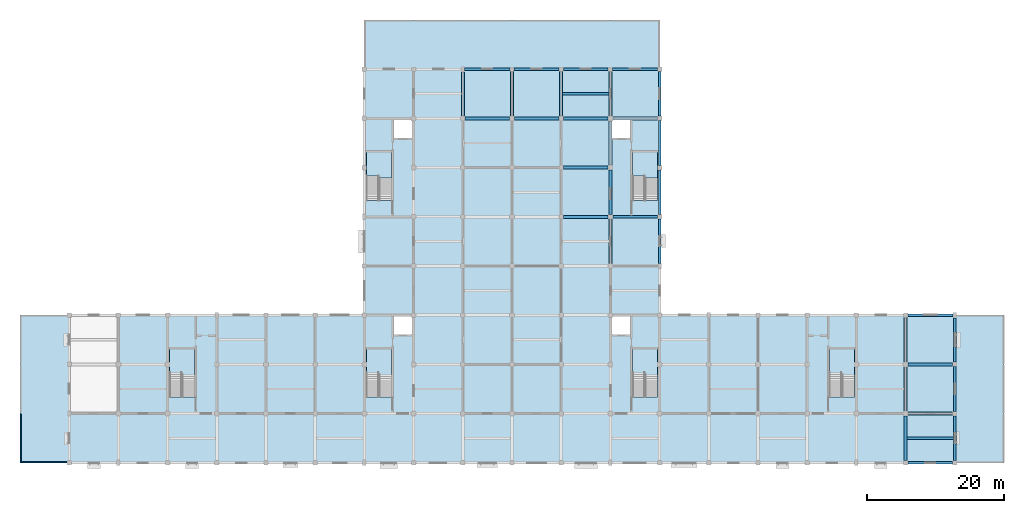
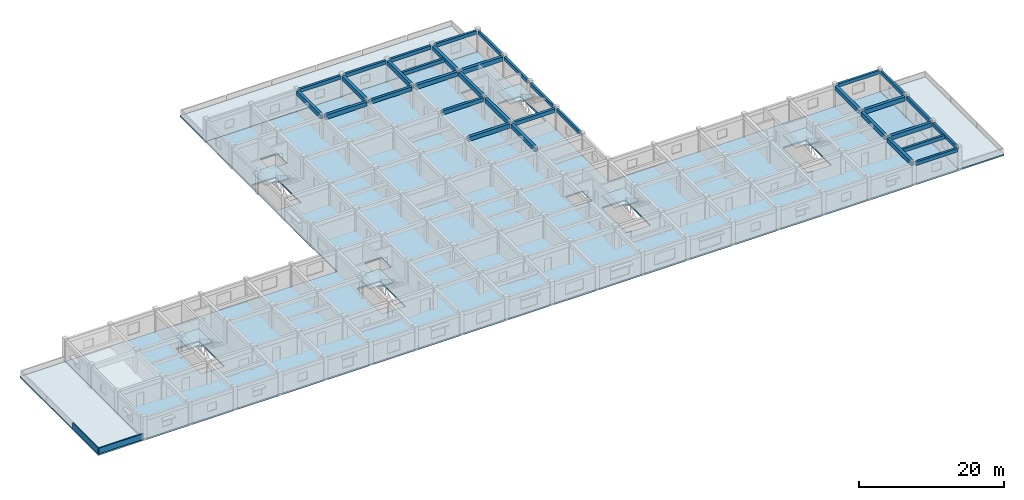
# One storey, part 3 of 16: 34 beams, 10 slabs, 2 walls, 6 elements without a shape of their own.
"""IFC4 building model written with IfcOpenShell, lengths in metres."""

import ifcopenshell
import ifcopenshell.guid

model = None  # the IFC model being written
_history = None  # IfcOwnerHistory: only IFC2X3 demands one
_inside = {}  # id of a spatial element -> (the spatial element, [elements in it])
_under = {}  # id of a project, library or spatial element -> (it, [spatial elements below it])
_declared = {}  # id of a project -> (the project, [libraries it declares])
_typed = {}  # id of a type object -> (the type object, [elements of that type])
_made_of = {}  # id of a material, layer set ... -> (it, [elements and type objects made of it])


def new_model(schema):
    """Start an empty IFC model of exactly this schema.

    Asked for "IFC4X3", IfcOpenShell would pick the latest addendum, in which some entities
    have other attributes; the version numbers below select the first issue.
    IFC2X3 requires an IfcOwnerHistory on every rooted entity: one is made here for all.
    """
    global model, _history
    if schema == "IFC4X3":
        model = ifcopenshell.file(schema_version=(4, 3, 0, 0))
    else:
        model = ifcopenshell.file(schema=schema)
    _inside.clear()
    _under.clear()
    _declared.clear()
    _typed.clear()
    _made_of.clear()
    _history = None
    if model.schema == "IFC2X3":
        org = make("IfcOrganization", Name="unknown")
        user = make(
            "IfcPersonAndOrganization",
            ThePerson=make("IfcPerson", FamilyName="unknown"),
            TheOrganization=org,
        )
        app = make(
            "IfcApplication",
            ApplicationDeveloper=org,
            Version="unknown",
            ApplicationFullName="unknown",
            ApplicationIdentifier="unknown",
        )
        _history = make(
            "IfcOwnerHistory",
            OwningUser=user,
            OwningApplication=app,
            ChangeAction="ADDED",
            CreationDate=0,
        )
    return model


def make(cls, **values):
    """One entity of the class cls with the attributes given. An attribute that is None is left unset."""
    return model.create_entity(
        cls, **{name: value for name, value in values.items() if value is not None}
    )


def rooted(cls, **values):
    """An entity with a GlobalId (a new one), such as an element, a storey or a relation."""
    return make(cls, GlobalId=ifcopenshell.guid.new(), OwnerHistory=_history, **values)


def si_unit(unit_type, name, prefix=None):
    """IfcSIUnit, for example si_unit("LENGTHUNIT", "METRE", prefix="MILLI")."""
    return make("IfcSIUnit", UnitType=unit_type, Prefix=prefix, Name=name)


def assignment(units):
    """IfcUnitAssignment: the units of a project."""
    return None if units is None else make("IfcUnitAssignment", Units=units)


def point(xyz):
    """IfcCartesianPoint."""
    return None if xyz is None else make("IfcCartesianPoint", Coordinates=xyz)


def direction(xyz):
    """IfcDirection."""
    return None if xyz is None else make("IfcDirection", DirectionRatios=xyz)


def frame(location, z_axis=None, x_axis=None):
    """IfcAxis2Placement3D, a coordinate frame: its origin and axes. An axis left out is left unset."""
    return make(
        "IfcAxis2Placement3D",
        Location=point(location),
        Axis=direction(z_axis),
        RefDirection=direction(x_axis),
    )


def frame_2d(location, x_axis=None):
    """IfcAxis2Placement2D, a coordinate frame in the plane: its origin and x axis."""
    return make(
        "IfcAxis2Placement2D", Location=point(location), RefDirection=direction(x_axis)
    )


def origin():
    """The frame at (0, 0, 0) with its axes left unset."""
    return frame((0.0, 0.0, 0.0))


def origin_2d():
    """The frame at (0, 0) in the plane with its x axis left unset."""
    return frame_2d((0.0, 0.0))


def place(relative_to, where):
    """IfcLocalPlacement: puts the frame where relative to a parent placement (None: the world)."""
    return make(
        "IfcLocalPlacement", PlacementRelTo=relative_to, RelativePlacement=where
    )


def context(
    kind, dimensions, precision=None, world=None, true_north=None, identifier=None
):
    """IfcGeometricRepresentationContext, for example the 3D "Model" context."""
    return make(
        "IfcGeometricRepresentationContext",
        ContextIdentifier=identifier,
        ContextType=kind,
        CoordinateSpaceDimension=dimensions,
        Precision=precision,
        WorldCoordinateSystem=world,
        TrueNorth=true_north,
    )


def subcontext(parent, identifier, kind, view, scale=None):
    """IfcGeometricRepresentationSubContext, for example "Body" below "Model"."""
    return make(
        "IfcGeometricRepresentationSubContext",
        ContextIdentifier=identifier,
        ContextType=kind,
        ParentContext=parent,
        TargetScale=scale,
        TargetView=view,
    )


def project(units=None, contexts=None):
    """IfcProject with its units and contexts."""
    return rooted(
        "IfcProject",
        Name="project",
        RepresentationContexts=contexts,
        UnitsInContext=assignment(units),
    )


def spatial(cls, under=None, at=None, **own):
    """A site, building, storey or space (cls), placed at a placement, below another one or the project."""
    s = rooted(cls, ObjectPlacement=at, **own)
    if under is not None:
        _under.setdefault(under.id(), (under, []))[1].append(s)
    return s


def polyline(points):
    """IfcPolyline through the points."""
    return make("IfcPolyline", Points=[point(p) for p in points])


def profile(cls, at=None, kind="AREA", **sizes):
    """A parametric profile (cls). Its sizes go by their IFC names, for example OverallWidth=200.0."""
    return make(cls, ProfileType=kind, Position=at, **sizes)


def rectangle(**sizes):
    """IfcRectangleProfileDef."""
    return profile("IfcRectangleProfileDef", **sizes)


def outline(outer, holes=None, kind="AREA"):
    """IfcArbitraryClosedProfileDef: a profile drawn as a closed curve; with holes, ...WithVoids."""
    if holes is None:
        return make("IfcArbitraryClosedProfileDef", ProfileType=kind, OuterCurve=outer)
    return make(
        "IfcArbitraryProfileDefWithVoids",
        ProfileType=kind,
        OuterCurve=outer,
        InnerCurves=holes,
    )


def extrude(swept, where, along, depth):
    """IfcExtrudedAreaSolid: the profile swept, set in the frame where, extruded along a direction by depth."""
    return make(
        "IfcExtrudedAreaSolid",
        SweptArea=swept,
        Position=where,
        ExtrudedDirection=direction(along),
        Depth=depth,
    )


def shape(context_of_items, identifier, shape_type, items):
    """IfcShapeRepresentation: the items that make up one representation, for example the "Body"."""
    return make(
        "IfcShapeRepresentation",
        ContextOfItems=context_of_items,
        RepresentationIdentifier=identifier,
        RepresentationType=shape_type,
        Items=items,
    )


def material(Name=None, Category=None):
    """IfcMaterial."""
    return make("IfcMaterial", Name=Name, Category=Category)


def layer(
    of_material, thickness, ventilated=None, Name=None, Category=None, Priority=None
):
    """IfcMaterialLayer: one layer of a wall or slab, of a material (None: an air gap)."""
    return make(
        "IfcMaterialLayer",
        Material=of_material,
        LayerThickness=thickness,
        IsVentilated=ventilated,
        Name=Name,
        Category=Category,
        Priority=Priority,
    )


def layer_set(layers, Name=None):
    """IfcMaterialLayerSet."""
    return make("IfcMaterialLayerSet", MaterialLayers=layers, LayerSetName=Name)


def material_profile(
    of_material, cross_section, Name=None, Category=None, Priority=None
):
    """IfcMaterialProfile: a cross section and its material."""
    return make(
        "IfcMaterialProfile",
        Name=Name,
        Material=of_material,
        Profile=cross_section,
        Priority=Priority,
        Category=Category,
    )


def profile_set(profiles, Name=None, composite=None):
    """IfcMaterialProfileSet."""
    return make(
        "IfcMaterialProfileSet",
        Name=Name,
        MaterialProfiles=profiles,
        CompositeProfile=composite,
    )


def made_of(thing, what):
    """Note that an element or type object is made of a material, layer set ...; save() writes the relation."""
    if what is not None:
        _made_of.setdefault(what.id(), (what, []))[1].append(thing)
    return thing


def type_object(cls, material=None, **own):
    """A type object (cls), such as IfcWallType, which elements share."""
    return made_of(rooted(cls, **own), material)


def element(
    cls,
    number,
    at=None,
    inside=None,
    cuts=None,
    type_object=None,
    material=None,
    context=None,
    identifier="Body",
    shape_type=None,
    held_by="IfcProductDefinitionShape",
    body=None,
    shapes=None,
    **own,
):
    """One element of the class cls, such as IfcWall. Its Tag is "e" and its number.

    at: its placement. inside: the storey or other place that contains it. cuts: it is an
    opening in that element (IfcRelVoidsElement). A single representation is given by context,
    identifier, shape_type and body (its items); several are given by shapes. held_by: the class
    of the entity that holds the representations. save() writes the other relations.
    """
    e = rooted(cls, Tag="e%d" % number, ObjectPlacement=at, **own)
    if body is not None:
        shapes = [shape(context, identifier, shape_type, body)]
    if shapes is not None:
        e.Representation = make(held_by, Representations=shapes)
    if inside is not None:
        _inside.setdefault(inside.id(), (inside, []))[1].append(e)
    if cuts is not None:
        rooted(
            "IfcRelVoidsElement", RelatingBuildingElement=cuts, RelatedOpeningElement=e
        )
    if type_object is not None:
        _typed.setdefault(type_object.id(), (type_object, []))[1].append(e)
    return made_of(e, material)


def aggregate(whole, parts):
    """IfcRelAggregates: a whole, such as a stair, and the parts it consists of."""
    return rooted("IfcRelAggregates", RelatingObject=whole, RelatedObjects=parts)


def save(model, path):
    """Write the relations noted so far, then the file.

    IfcRelAggregates (storeys below a building ...), IfcRelContainedInSpatialStructure (elements
    in a storey), IfcRelDefinesByType, IfcRelAssociatesMaterial and IfcRelDeclares: one each for
    every whole, place, type object, material and project.
    """
    for whole, parts in _under.values():
        aggregate(whole, parts)
    for where, things in _inside.values():
        rooted(
            "IfcRelContainedInSpatialStructure",
            RelatedElements=things,
            RelatingStructure=where,
        )
    for kind, things in _typed.values():
        rooted("IfcRelDefinesByType", RelatedObjects=things, RelatingType=kind)
    for what, things in _made_of.values():
        rooted("IfcRelAssociatesMaterial", RelatedObjects=things, RelatingMaterial=what)
    for by, libraries in _declared.values():
        rooted("IfcRelDeclares", RelatingContext=by, RelatedDefinitions=libraries)
    model.write(path)


model = new_model("IFC4")

# Units and contexts
model_context = context("Model", 3, precision=1e-05, world=origin(), true_north=direction((0.0, 1.0)))
body_context = subcontext(model_context, "Body", "Model", "MODEL_VIEW")
ifc_project = project(units=[si_unit("LENGTHUNIT", "METRE"), si_unit("AREAUNIT", "SQUARE_METRE"), si_unit("VOLUMEUNIT", "CUBIC_METRE"), si_unit("PLANEANGLEUNIT", "RADIAN"), si_unit("MASSUNIT", "GRAM", prefix="KILO")], contexts=[model_context])

# Site, building, storey
site_placement = place(None, origin())
site = spatial("IfcSite", under=ifc_project, at=site_placement, CompositionType="ELEMENT")
building_placement = place(site_placement, origin())
building = spatial("IfcBuilding", under=site, at=building_placement, Name="Cendaluz Park School", CompositionType="ELEMENT")
storey_placement = place(building_placement, frame((0.0, 0.0, 22.60009765625)))
storey = spatial("IfcBuildingStorey", under=building, at=storey_placement, Name="L05", CompositionType="ELEMENT", Elevation=22.60009765625)

# Beams
ifc_material_1 = material(Name="Concrete C40/50", Category="concrete")
ifc_material_profile_1 = material_profile(ifc_material_1, rectangle(XDim=0.449951171875, YDim=0.719970703125, at=origin_2d()), Name="RC 450x720", Category="concrete")
ifc_profile_set_1 = profile_set([ifc_material_profile_1], Name="Concrete C40/50")
beam_type_1 = type_object("IfcBeamType", Name="BM-RC02", PredefinedType="BEAM", material=ifc_profile_set_1)
for number, where, z_axis, x_axis, name in (
    (1, (79.550048828125, 57.60009765625, 3.33984375), (1.0, 0.0, 0.0), (0.0, 1.0, 0.0), "BM-L05-BMRC02-0047"),
    (2, (93.949951171875, 43.199951171875, 3.33984375), (1.0, 0.0, 0.0), (0.0, 1.0, 0.0), "BM-L05-BMRC02-0063"),
    (3, (93.949951171875, 57.60009765625, 3.33984375), (1.0, 0.0, 0.0), (0.0, 1.0, 0.0), "BM-L05-BMRC02-0065"),
):
    element("IfcBeam", number, at=place(storey_placement, frame(where, z_axis=z_axis, x_axis=x_axis)), inside=storey, type_object=beam_type_1, Name=name, PredefinedType="BEAM", context=body_context, shape_type="SweptSolid", body=[
        extrude(rectangle(XDim=0.449951171875, YDim=0.719970703125, at=origin_2d()), origin(), (0.0, 0.0, 1.0), 6.5),
    ])
beam_1_placement = place(storey_placement, frame((101.14990234375, 57.60009765625, 3.33984375), z_axis=(1.0, 0.0, 0.0), x_axis=(0.0, 1.0, 0.0)))
element("IfcBeam", 4, at=beam_1_placement, inside=storey, type_object=beam_type_1, Name="BM-L05-BMRC02-0072", PredefinedType="BEAM", context=body_context, shape_type="SweptSolid", body=[
    extrude(rectangle(XDim=0.449951171875, YDim=0.719970703125, at=origin_2d()), origin(), (0.0, 0.0, 1.0), 6.525146484375),
])
for number, where, z_axis, x_axis, name in (
    (5, (144.35009765625, 14.39990234375, 3.33984375), (1.0, 0.0, 0.0), (0.0, 1.0, 0.0), "BM-L05-BMRC02-0094"),
    (6, (144.35009765625, 21.60009765625, 3.33984375), (1.0, 0.0, 0.0), (0.0, 1.0, 0.0), "BM-L05-BMRC02-0095"),
):
    element("IfcBeam", number, at=place(storey_placement, frame(where, z_axis=z_axis, x_axis=x_axis)), inside=storey, type_object=beam_type_1, Name=name, PredefinedType="BEAM", context=body_context, shape_type="SweptSolid", body=[
        extrude(rectangle(XDim=0.449951171875, YDim=0.719970703125, at=origin_2d()), origin(), (0.0, 0.0, 1.0), 6.52490234375),
    ])
beam_2_placement = place(storey_placement, frame((79.199951171875, 57.949951171875, 3.33984375), z_axis=(0.0, 1.0, 0.0), x_axis=(-1.0, 0.0, 0.0)))
element("IfcBeam", 7, at=beam_2_placement, inside=storey, type_object=beam_type_1, Name="BM-L05-BMRC02-0138", PredefinedType="BEAM", context=body_context, shape_type="SweptSolid", body=[
    extrude(rectangle(XDim=0.449951171875, YDim=0.719970703125, at=origin_2d()), origin(), (0.0, 0.0, 1.0), 6.47509765625),
])
for number, where, z_axis, x_axis, name in (
    (8, (86.39990234375, 57.949951171875, 3.33984375), (0.0, 1.0, 0.0), (-1.0, 0.0, 0.0), "BM-L05-BMRC02-0146"),
    (9, (93.60009765625, 57.949951171875, 3.33984375), (0.0, 1.0, 0.0), (-1.0, 0.0, 0.0), "BM-L05-BMRC02-0154"),
):
    element("IfcBeam", number, at=place(storey_placement, frame(where, z_axis=z_axis, x_axis=x_axis)), inside=storey, type_object=beam_type_1, Name=name, PredefinedType="BEAM", context=body_context, shape_type="SweptSolid", body=[
        extrude(rectangle(XDim=0.449951171875, YDim=0.719970703125, at=origin_2d()), origin(), (0.0, 0.0, 1.0), 6.525146484375),
    ])
for number, where, z_axis, x_axis, name in (
    (10, (100.800048828125, 36.35009765625, 3.33984375), (0.0, 1.0, 0.0), (-1.0, 0.0, 0.0), "BM-L05-BMRC02-0159"),
    (11, (100.800048828125, 43.550048828125, 3.33984375), (0.0, 1.0, 0.0), (-1.0, 0.0, 0.0), "BM-L05-BMRC02-0160"),
    (12, (100.800048828125, 50.75, 3.33984375), (0.0, 1.0, 0.0), (-1.0, 0.0, 0.0), "BM-L05-BMRC02-0161"),
):
    element("IfcBeam", number, at=place(storey_placement, frame(where, z_axis=z_axis, x_axis=x_axis)), inside=storey, type_object=beam_type_1, Name=name, PredefinedType="BEAM", context=body_context, shape_type="SweptSolid", body=[
        extrude(rectangle(XDim=0.449951171875, YDim=0.719970703125, at=origin_2d()), origin(), (0.0, 0.0, 1.0), 6.5),
    ])
for number, where, z_axis, x_axis, name in (
    (13, (100.800048828125, 57.949951171875, 3.33984375), (0.0, 1.0, 0.0), (-1.0, 0.0, 0.0), "BM-L05-BMRC02-0162"),
    (14, (144.0, 7.52490234375, 3.33984375), (0.0, 1.0, 0.0), (-1.0, 0.0, 0.0), "BM-L05-BMRC02-0183"),
):
    element("IfcBeam", number, at=place(storey_placement, frame(where, z_axis=z_axis, x_axis=x_axis)), inside=storey, type_object=beam_type_1, Name=name, PredefinedType="BEAM", context=body_context, shape_type="SweptSolid", body=[
        extrude(rectangle(XDim=0.449951171875, YDim=0.719970703125, at=origin_2d()), origin(), (0.0, 0.0, 1.0), 6.525146484375),
    ])
beam_3_placement = place(storey_placement, frame((144.0, 14.75, 3.33984375), z_axis=(0.0, 1.0, 0.0), x_axis=(-1.0, 0.0, 0.0)))
element("IfcBeam", 15, at=beam_3_placement, inside=storey, type_object=beam_type_1, Name="BM-L05-BMRC02-0184", PredefinedType="BEAM", context=body_context, shape_type="SweptSolid", body=[
    extrude(rectangle(XDim=0.449951171875, YDim=0.719970703125, at=origin_2d()), origin(), (0.0, 0.0, 1.0), 6.5),
])
beam_4_placement = place(storey_placement, frame((144.0, 21.949951171875, 3.33984375), z_axis=(0.0, 1.0, 0.0), x_axis=(-1.0, 0.0, 0.0)))
element("IfcBeam", 16, at=beam_4_placement, inside=storey, type_object=beam_type_1, Name="BM-L05-BMRC02-0185", PredefinedType="BEAM", context=body_context, shape_type="SweptSolid", body=[
    extrude(rectangle(XDim=0.449951171875, YDim=0.719970703125, at=origin_2d()), origin(), (0.0, 0.0, 1.0), 6.525146484375),
])
ifc_material_profile_2 = material_profile(ifc_material_1, rectangle(XDim=0.39990234375, YDim=0.64990234375, at=origin_2d()), Name="RC 400x650", Category="concrete")
ifc_profile_set_2 = profile_set([ifc_material_profile_2], Name="Concrete C40/50")
beam_type_2 = type_object("IfcBeamType", Name="BM-RC03", PredefinedType="T_BEAM", material=ifc_profile_set_2)
for number, where, z_axis, x_axis, name in (
    (17, (86.75, 57.60009765625, 3.375), (1.0, 0.0, 0.0), (0.0, 1.0, 0.0), "BM-L05-BMRC03-0056"),
    (18, (93.949951171875, 50.39990234375, 3.375), (1.0, 0.0, 0.0), (0.0, 1.0, 0.0), "BM-L05-BMRC03-0064"),
):
    element("IfcBeam", number, at=place(storey_placement, frame(where, z_axis=z_axis, x_axis=x_axis)), inside=storey, type_object=beam_type_2, Name=name, PredefinedType="T_BEAM", context=body_context, shape_type="SweptSolid", body=[
        extrude(rectangle(XDim=0.39990234375, YDim=0.64990234375, at=origin_2d()), origin(), (0.0, 0.0, 1.0), 6.5),
    ])
beam_5_placement = place(storey_placement, frame((101.14990234375, 43.199951171875, 3.375), z_axis=(1.0, 0.0, 0.0), x_axis=(0.0, 1.0, 0.0)))
element("IfcBeam", 19, at=beam_5_placement, inside=storey, type_object=beam_type_2, Name="BM-L05-BMRC03-0071", PredefinedType="T_BEAM", context=body_context, shape_type="SweptSolid", body=[
    extrude(rectangle(XDim=0.39990234375, YDim=0.64990234375, at=origin_2d()), origin(), (0.0, 0.0, 1.0), 6.525146484375),
])
ifc_material_profile_3 = material_profile(ifc_material_1, rectangle(XDim=0.35009765625, YDim=0.580078125, at=origin_2d()), Name="RC 350x580", Category="concrete")
ifc_profile_set_3 = profile_set([ifc_material_profile_3], Name="Concrete C40/50")
beam_type_3 = type_object("IfcBeamType", Name="BM-RC04", PredefinedType="LINTEL", material=ifc_profile_set_3)
beam_6_placement = place(storey_placement, frame((79.449951171875, 64.800048828125, 3.409912109375), z_axis=(1.0, 0.0, 0.0), x_axis=(0.0, 1.0, 0.0)))
element("IfcBeam", 20, at=beam_6_placement, inside=storey, type_object=beam_type_3, Name="BM-L05-BMRC04-0048", PredefinedType="LINTEL", context=body_context, shape_type="SweptSolid", body=[
    extrude(rectangle(XDim=0.35009765625, YDim=0.580078125, at=origin_2d()), origin(), (0.0, 0.0, 1.0), 6.625),
])
beam_7_placement = place(storey_placement, frame((86.72509765625, 64.800048828125, 3.409912109375), z_axis=(1.0, 0.0, 0.0), x_axis=(0.0, 1.0, 0.0)))
element("IfcBeam", 21, at=beam_7_placement, inside=storey, type_object=beam_type_3, Name="BM-L05-BMRC04-0057", PredefinedType="LINTEL", context=body_context, shape_type="SweptSolid", body=[
    extrude(rectangle(XDim=0.35009765625, YDim=0.580078125, at=origin_2d()), origin(), (0.0, 0.0, 1.0), 6.5498046875),
])
for number, where, z_axis, x_axis, name in (
    (22, (93.925048828125, 64.800048828125, 3.409912109375), (1.0, 0.0, 0.0), (0.0, 1.0, 0.0), "BM-L05-BMRC04-0066"),
    (23, (101.125, 64.800048828125, 3.409912109375), (1.0, 0.0, 0.0), (0.0, 1.0, 0.0), "BM-L05-BMRC04-0073"),
    (24, (144.324951171875, 7.199951171875, 3.409912109375), (1.0, 0.0, 0.0), (0.0, 1.0, 0.0), "BM-L05-BMRC04-0093"),
):
    element("IfcBeam", number, at=place(storey_placement, frame(where, z_axis=z_axis, x_axis=x_axis)), inside=storey, type_object=beam_type_3, Name=name, PredefinedType="LINTEL", context=body_context, shape_type="SweptSolid", body=[
        extrude(rectangle(XDim=0.35009765625, YDim=0.580078125, at=origin_2d()), origin(), (0.0, 0.0, 1.0), 6.550048828125),
    ])
beam_8_placement = place(storey_placement, frame((144.324951171875, 28.800048828125, 3.409912109375), z_axis=(1.0, 0.0, 0.0), x_axis=(0.0, 1.0, 0.0)))
element("IfcBeam", 25, at=beam_8_placement, inside=storey, type_object=beam_type_3, Name="BM-L05-BMRC04-0096", PredefinedType="LINTEL", context=body_context, shape_type="SweptSolid", body=[
    extrude(rectangle(XDim=0.35009765625, YDim=0.580078125, at=origin_2d()), origin(), (0.0, 0.0, 1.0), 6.625),
])
beam_9_placement = place(storey_placement, frame((108.0, 36.375, 3.409912109375), z_axis=(0.0, 1.0, 0.0), x_axis=(-1.0, 0.0, 0.0)))
element("IfcBeam", 26, at=beam_9_placement, inside=storey, type_object=beam_type_3, Name="BM-L05-BMRC04-0167", PredefinedType="LINTEL", context=body_context, shape_type="SweptSolid", body=[
    extrude(rectangle(XDim=0.35009765625, YDim=0.580078125, at=origin_2d()), origin(), (0.0, 0.0, 1.0), 6.5),
])
beam_10_placement = place(storey_placement, frame((108.0, 43.52490234375, 3.409912109375), z_axis=(0.0, 1.0, 0.0), x_axis=(-1.0, 0.0, 0.0)))
element("IfcBeam", 27, at=beam_10_placement, inside=storey, type_object=beam_type_3, Name="BM-L05-BMRC04-0168", PredefinedType="LINTEL", context=body_context, shape_type="SweptSolid", body=[
    extrude(rectangle(XDim=0.35009765625, YDim=0.580078125, at=origin_2d()), origin(), (0.0, 0.0, 1.0), 6.550048828125),
])
beam_11_placement = place(storey_placement, frame((108.0, 50.72509765625, 3.409912109375), z_axis=(0.0, 1.0, 0.0), x_axis=(-1.0, 0.0, 0.0)))
element("IfcBeam", 28, at=beam_11_placement, inside=storey, type_object=beam_type_3, Name="BM-L05-BMRC04-0169", PredefinedType="LINTEL", context=body_context, shape_type="SweptSolid", body=[
    extrude(rectangle(XDim=0.35009765625, YDim=0.580078125, at=origin_2d()), origin(), (0.0, 0.0, 1.0), 6.5498046875),
])
for number, where, z_axis, x_axis, name in (
    (29, (108.0, 57.925048828125, 3.409912109375), (0.0, 1.0, 0.0), (-1.0, 0.0, 0.0), "BM-L05-BMRC04-0170"),
    (30, (151.199951171875, 7.52490234375, 3.409912109375), (0.0, 1.0, 0.0), (-1.0, 0.0, 0.0), "BM-L05-BMRC04-0186"),
):
    element("IfcBeam", number, at=place(storey_placement, frame(where, z_axis=z_axis, x_axis=x_axis)), inside=storey, type_object=beam_type_3, Name=name, PredefinedType="LINTEL", context=body_context, shape_type="SweptSolid", body=[
        extrude(rectangle(XDim=0.35009765625, YDim=0.580078125, at=origin_2d()), origin(), (0.0, 0.0, 1.0), 6.550048828125),
    ])
beam_12_placement = place(storey_placement, frame((151.199951171875, 14.72509765625, 3.409912109375), z_axis=(0.0, 1.0, 0.0), x_axis=(-1.0, 0.0, 0.0)))
element("IfcBeam", 31, at=beam_12_placement, inside=storey, type_object=beam_type_3, Name="BM-L05-BMRC04-0187", PredefinedType="LINTEL", context=body_context, shape_type="SweptSolid", body=[
    extrude(rectangle(XDim=0.35009765625, YDim=0.580078125, at=origin_2d()), origin(), (0.0, 0.0, 1.0), 6.5498046875),
])
beam_13_placement = place(storey_placement, frame((151.199951171875, 21.925048828125, 3.409912109375), z_axis=(0.0, 1.0, 0.0), x_axis=(-1.0, 0.0, 0.0)))
element("IfcBeam", 32, at=beam_13_placement, inside=storey, type_object=beam_type_3, Name="BM-L05-BMRC04-0188", PredefinedType="LINTEL", context=body_context, shape_type="SweptSolid", body=[
    extrude(rectangle(XDim=0.35009765625, YDim=0.580078125, at=origin_2d()), origin(), (0.0, 0.0, 1.0), 6.5),
])
ifc_material_profile_4 = material_profile(ifc_material_1, rectangle(XDim=0.35009765625, YDim=0.580078125, at=origin_2d()), Name="RC 350x580", Category="concrete")
ifc_profile_set_4 = profile_set([ifc_material_profile_4], Name="Concrete C40/50")
beam_type_4 = type_object("IfcBeamType", Name="JT-RC01", PredefinedType="JOIST", material=ifc_profile_set_4)
beam_14_placement = place(storey_placement, frame((93.824951171875, 61.199951171875, 3.409912109375), z_axis=(1.0, 0.0, 0.0), x_axis=(0.0, 1.0, 0.0)))
element("IfcBeam", 33, at=beam_14_placement, inside=storey, type_object=beam_type_4, Name="BM-L05-JTRC01-0205", PredefinedType="JOIST", context=body_context, shape_type="SweptSolid", body=[
    extrude(rectangle(XDim=0.35009765625, YDim=0.580078125, at=origin_2d()), origin(), (0.0, 0.0, 1.0), 6.75),
])
beam_15_placement = place(storey_placement, frame((144.22509765625, 10.800048828125, 3.409912109375), z_axis=(1.0, 0.0, 0.0), x_axis=(0.0, 1.0, 0.0)))
element("IfcBeam", 34, at=beam_15_placement, inside=storey, type_object=beam_type_4, Name="BM-L05-JTRC01-0212", PredefinedType="JOIST", context=body_context, shape_type="SweptSolid", body=[
    extrude(rectangle(XDim=0.35009765625, YDim=0.580078125, at=origin_2d()), origin(), (0.0, 0.0, 1.0), 6.7998046875),
])

# Slab
ifc_layer_1 = layer(ifc_material_1, 0.260009765625)
ifc_layer_set_1 = layer_set([ifc_layer_1], Name="Concrete C40/50")
slab_type_1 = type_object("IfcSlabType", Name="SL-FL-260", PredefinedType="FLOOR", material=ifc_layer_set_1)
slab_1_placement = place(storey_placement, frame((0.0, 0.0, -0.260009765625)))
element("IfcSlab", 35, at=slab_1_placement, inside=storey, type_object=slab_type_1, Name="SL-L05-01", PredefinedType="FLOOR", context=body_context, shape_type="SweptSolid", body=[
    extrude(outline(polyline([(64.800048828125, 28.800048828125), (64.800048828125, 64.800048828125), (108.0, 64.800048828125), (108.0, 28.800048828125), (151.199951171875, 28.800048828125), (151.199951171875, 7.199951171875), (21.60009765625, 7.199951171875), (21.60009765625, 28.800048828125), (64.800048828125, 28.800048828125)]), holes=[polyline([(65.080078125, 23.840087890625), (65.080078125, 16.820068359375), (68.77001953125, 16.820068359375), (68.77001953125, 23.840087890625), (65.080078125, 23.840087890625)]), polyline([(71.800048828125, 28.60009765625), (69.10009765625, 28.60009765625), (69.10009765625, 25.93994140625), (71.800048828125, 25.93994140625), (71.800048828125, 28.60009765625)]), polyline([(107.719970703125, 16.820068359375), (107.719970703125, 23.840087890625), (104.030029296875, 23.840087890625), (104.030029296875, 16.820068359375), (107.719970703125, 16.820068359375)]), polyline([(101.0, 25.93994140625), (103.699951171875, 25.93994140625), (103.699951171875, 28.60009765625), (101.0, 28.60009765625), (101.0, 25.93994140625)]), polyline([(65.080078125, 52.639892578125), (65.080078125, 45.6201171875), (68.77001953125, 45.6201171875), (68.77001953125, 52.639892578125), (65.080078125, 52.639892578125)]), polyline([(71.800048828125, 57.39990234375), (69.10009765625, 57.39990234375), (69.10009765625, 54.739990234375), (71.800048828125, 54.739990234375), (71.800048828125, 57.39990234375)]), polyline([(107.719970703125, 45.6201171875), (107.719970703125, 52.639892578125), (104.030029296875, 52.639892578125), (104.030029296875, 45.6201171875), (107.719970703125, 45.6201171875)]), polyline([(101.0, 54.739990234375), (103.699951171875, 54.739990234375), (103.699951171875, 57.39990234375), (101.0, 57.39990234375), (101.0, 54.739990234375)]), polyline([(36.280029296875, 23.840087890625), (36.280029296875, 16.820068359375), (39.969970703125, 16.820068359375), (39.969970703125, 23.840087890625), (36.280029296875, 23.840087890625)]), polyline([(136.52001953125, 23.840087890625), (132.830078125, 23.840087890625), (132.830078125, 16.820068359375), (136.52001953125, 16.820068359375), (136.52001953125, 23.840087890625)])]), origin(), (0.0, 0.0, 1.0), 0.260009765625),
])

# Stair, slab
stair_type = type_object("IfcStairType", Name="ST-400-180", PredefinedType="HALF_TURN_STAIR", material=ifc_material_1)
stair_1_placement = place(storey_placement, origin())
stair_1 = element("IfcStair", 36, at=stair_1_placement, inside=storey, type_object=stair_type, Name="ST-L05-C1", PredefinedType="HALF_TURN_STAIR")
ifc_layer_2 = layer(ifc_material_1, 0.199951171875)
ifc_layer_set_2 = layer_set([ifc_layer_2], Name="Concrete C40/50")
slab_type_2 = type_object("IfcSlabType", Name="SL-LD-200", PredefinedType="LANDING", material=ifc_layer_set_2)
slab_2_placement = place(storey_placement, frame((0.0, 0.0, 1.8798828125)))
slab_2 = element("IfcSlab", 37, at=slab_2_placement, type_object=slab_type_2, Name="SL-LD-L05-C1", PredefinedType="LANDING", context=body_context, shape_type="SweptSolid", body=[
    extrude(outline(polyline([(65.090087890625, 20.360107421875), (66.925048828125, 20.360107421875), (66.925048828125, 20.06005859375), (68.77001953125, 20.06005859375), (68.77001953125, 23.860107421875), (65.090087890625, 23.860107421875), (65.090087890625, 20.360107421875)])), origin(), (0.0, 0.0, 1.0), 0.199951171875),
])
aggregate(stair_1, [slab_2])

stair_2_placement = place(storey_placement, origin())
stair_2 = element("IfcStair", 38, at=stair_2_placement, inside=storey, type_object=stair_type, Name="ST-L05-C2", PredefinedType="HALF_TURN_STAIR")
slab_3_placement = place(storey_placement, frame((0.0, 0.0, 1.8798828125)))
slab_3 = element("IfcSlab", 39, at=slab_3_placement, type_object=slab_type_2, Name="SL-LD-L05-C2", PredefinedType="LANDING", context=body_context, shape_type="SweptSolid", body=[
    extrude(outline(polyline([(104.030029296875, 20.360107421875), (105.875, 20.360107421875), (105.875, 20.06005859375), (107.7099609375, 20.06005859375), (107.7099609375, 23.860107421875), (104.030029296875, 23.860107421875), (104.030029296875, 20.360107421875)])), origin(), (0.0, 0.0, 1.0), 0.199951171875),
])
aggregate(stair_2, [slab_3])

stair_3_placement = place(storey_placement, origin())
stair_3 = element("IfcStair", 40, at=stair_3_placement, inside=storey, type_object=stair_type, Name="ST-L05-C3", PredefinedType="HALF_TURN_STAIR")
slab_4_placement = place(storey_placement, frame((0.0, 0.0, 1.8798828125)))
slab_4 = element("IfcSlab", 41, at=slab_4_placement, type_object=slab_type_2, Name="SL-LD-L05-C3", PredefinedType="LANDING", context=body_context, shape_type="SweptSolid", body=[
    extrude(outline(polyline([(65.090087890625, 49.159912109375), (66.925048828125, 49.159912109375), (66.925048828125, 48.860107421875), (68.77001953125, 48.860107421875), (68.77001953125, 52.659912109375), (65.090087890625, 52.659912109375), (65.090087890625, 49.159912109375)])), origin(), (0.0, 0.0, 1.0), 0.199951171875),
])
aggregate(stair_3, [slab_4])

stair_4_placement = place(storey_placement, origin())
stair_4 = element("IfcStair", 42, at=stair_4_placement, inside=storey, type_object=stair_type, Name="ST-L05-C4", PredefinedType="HALF_TURN_STAIR")
slab_5_placement = place(storey_placement, frame((0.0, 0.0, 1.8798828125)))
slab_5 = element("IfcSlab", 43, at=slab_5_placement, type_object=slab_type_2, Name="SL-LD-L05-C4", PredefinedType="LANDING", context=body_context, shape_type="SweptSolid", body=[
    extrude(outline(polyline([(104.030029296875, 49.159912109375), (105.875, 49.159912109375), (105.875, 48.860107421875), (107.7099609375, 48.860107421875), (107.7099609375, 52.659912109375), (104.030029296875, 52.659912109375), (104.030029296875, 49.159912109375)])), origin(), (0.0, 0.0, 1.0), 0.199951171875),
])
aggregate(stair_4, [slab_5])

stair_5_placement = place(storey_placement, origin())
stair_5 = element("IfcStair", 44, at=stair_5_placement, inside=storey, type_object=stair_type, Name="ST-L05-C5", PredefinedType="HALF_TURN_STAIR")
slab_6_placement = place(storey_placement, frame((0.0, 0.0, 1.8798828125)))
slab_6 = element("IfcSlab", 45, at=slab_6_placement, type_object=slab_type_2, Name="SL-LD-L05-C5", PredefinedType="LANDING", context=body_context, shape_type="SweptSolid", body=[
    extrude(outline(polyline([(36.2900390625, 20.360107421875), (38.125, 20.360107421875), (38.125, 20.06005859375), (39.969970703125, 20.06005859375), (39.969970703125, 23.860107421875), (36.2900390625, 23.860107421875), (36.2900390625, 20.360107421875)])), origin(), (0.0, 0.0, 1.0), 0.199951171875),
])
aggregate(stair_5, [slab_6])

stair_6_placement = place(storey_placement, origin())
stair_6 = element("IfcStair", 46, at=stair_6_placement, inside=storey, type_object=stair_type, Name="ST-L05-C6", PredefinedType="HALF_TURN_STAIR")
slab_7_placement = place(storey_placement, frame((0.0, 0.0, 1.8798828125)))
slab_7 = element("IfcSlab", 47, at=slab_7_placement, type_object=slab_type_2, Name="SL-LD-L05-C6", PredefinedType="LANDING", context=body_context, shape_type="SweptSolid", body=[
    extrude(outline(polyline([(132.830078125, 20.360107421875), (134.675048828125, 20.360107421875), (134.675048828125, 20.06005859375), (136.510009765625, 20.06005859375), (136.510009765625, 23.860107421875), (132.830078125, 23.860107421875), (132.830078125, 20.360107421875)])), origin(), (0.0, 0.0, 1.0), 0.199951171875),
])
aggregate(stair_6, [slab_7])

# Slabs
ifc_layer_3 = layer(ifc_material_1, 0.239990234375)
ifc_layer_set_3 = layer_set([ifc_layer_3], Name="Concrete C40/50")
slab_type_3 = type_object("IfcSlabType", Name="SL-RF-240-RC", PredefinedType="ROOF", material=ifc_layer_set_3)
slab_8_placement = place(storey_placement, frame((0.0, 0.0, -0.239990234375)))
element("IfcSlab", 48, at=slab_8_placement, inside=storey, type_object=slab_type_3, Name="SL-RF-L04-02", PredefinedType="ROOF", context=body_context, shape_type="SweptSolid", body=[
    extrude(outline(polyline([(14.39990234375, 28.800048828125), (21.60009765625, 28.800048828125), (21.60009765625, 7.199951171875), (14.39990234375, 7.199951171875), (14.39990234375, 28.800048828125)])), origin(), (0.0, 0.0, 1.0), 0.239990234375),
])
slab_9_placement = place(storey_placement, frame((0.0, 0.0, -0.239990234375)))
element("IfcSlab", 49, at=slab_9_placement, inside=storey, type_object=slab_type_3, Name="SL-RF-L04-03", PredefinedType="ROOF", context=body_context, shape_type="SweptSolid", body=[
    extrude(outline(polyline([(108.0, 72.0), (108.0, 64.800048828125), (64.800048828125, 64.800048828125), (64.800048828125, 72.0), (108.0, 72.0)])), origin(), (0.0, 0.0, 1.0), 0.239990234375),
])
slab_10_placement = place(storey_placement, frame((0.0, 0.0, -0.239990234375)))
element("IfcSlab", 50, at=slab_10_placement, inside=storey, type_object=slab_type_3, Name="SL-RF-L04-04", PredefinedType="ROOF", context=body_context, shape_type="SweptSolid", body=[
    extrude(outline(polyline([(151.199951171875, 28.800048828125), (158.39990234375, 28.800048828125), (158.39990234375, 7.199951171875), (151.199951171875, 7.199951171875), (151.199951171875, 28.800048828125)])), origin(), (0.0, 0.0, 1.0), 0.239990234375),
])

# Walls
ifc_material_2 = material(Name="Concrete C40/50 precast", Category="concrete")
ifc_layer_4 = layer(ifc_material_2, 0.179931640625)
ifc_layer_set_4 = layer_set([ifc_layer_4], Name="Concrete C40/50 precast")
wall_type = type_object("IfcWallType", Name="W-PR18", PredefinedType="PARAPET", material=ifc_layer_set_4)
for number, where, z_axis, x_axis, name in (
    (51, (14.489990234375, 7.2900390625, 0.0), (0.0, 0.0, 1.0), (1.0, 0.0, 0.0), "WL-FF-AE6"),
    (52, (14.489990234375, 7.2900390625, 0.0), (0.0, 0.0, 1.0), (0.0, 1.0, 0.0), "WL-FF-AE7"),
):
    element("IfcWall", number, at=place(storey_placement, frame(where, z_axis=z_axis, x_axis=x_axis)), inside=storey, type_object=wall_type, Name=name, PredefinedType="PARAPET", context=body_context, shape_type="SweptSolid", body=[
        extrude(rectangle(XDim=7.02001953125, YDim=0.179931640625, at=frame_2d((3.510009765625, 0.0))), origin(), (0.0, 0.0, 1.0), 0.949951171875),
    ])

save(model, "model.ifc")
